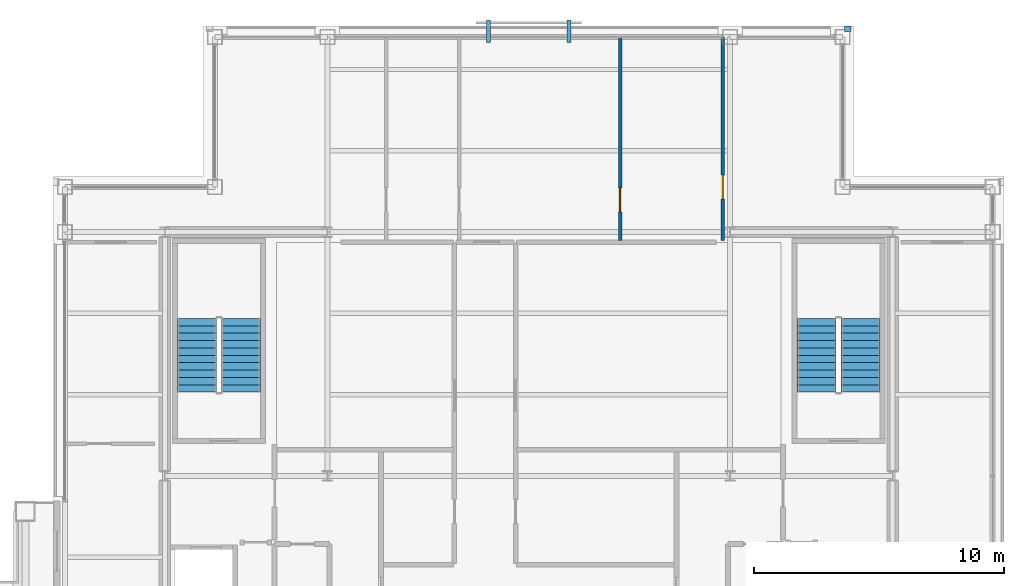
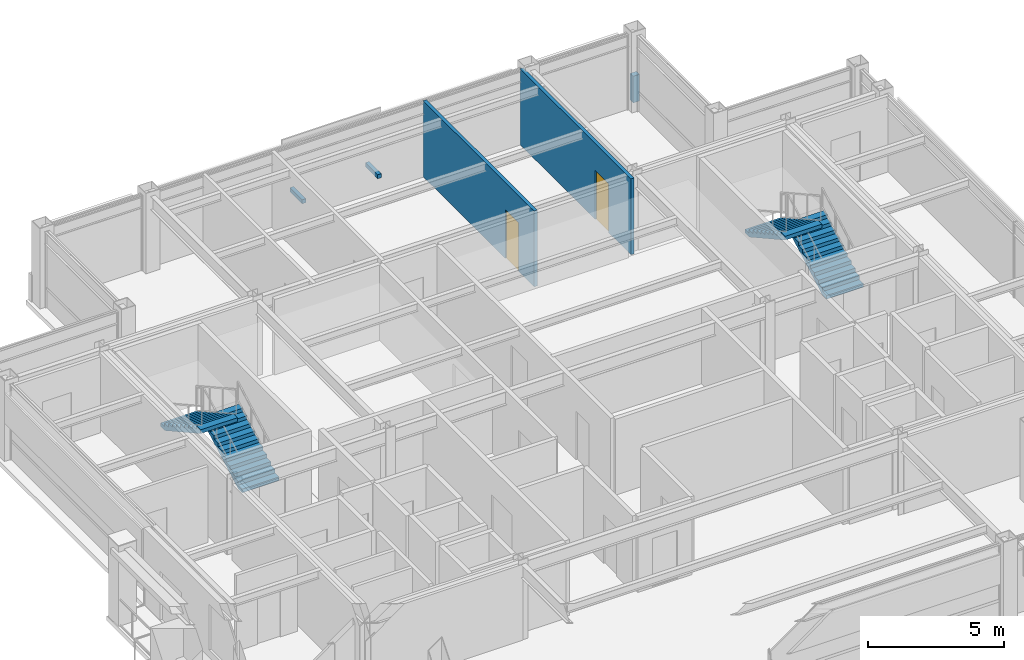
# One storey, part 26 of 28: 4 stair flights, 3 walls, 2 discrete accessories, 2 doors, 2 openings, 2 elements without a shape of their own.
"""IFC4 building model written with IfcOpenShell, lengths in metres."""

from ifc_helpers import new_model, si_unit, direction, frame, frame_2d, origin, origin_2d, place, context, subcontext, project, spatial, polyline, rectangle, outline, extrude, material, layer, layer_set, type_object, element, fill, aggregate, save


model = new_model("IFC4")

# Units and contexts
model_context = context("Model", 3, precision=1e-05, world=origin(), true_north=direction((0.0, 1.0)))
body_context = subcontext(model_context, "Body", "Model", "MODEL_VIEW")
ifc_project = project(units=[si_unit("LENGTHUNIT", "METRE"), si_unit("AREAUNIT", "SQUARE_METRE"), si_unit("VOLUMEUNIT", "CUBIC_METRE"), si_unit("PLANEANGLEUNIT", "RADIAN"), si_unit("MASSUNIT", "GRAM", prefix="KILO")], contexts=[model_context])

# Site, building, storey
site_placement = place(None, origin())
site = spatial("IfcSite", under=ifc_project, at=site_placement, CompositionType="ELEMENT")
building_placement = place(site_placement, origin())
building = spatial("IfcBuilding", under=site, at=building_placement, Name="Brelmoor Portico Tower", CompositionType="ELEMENT")
storey_placement = place(building_placement, frame((0.0, 0.0, 265.199951171875)))
storey = spatial("IfcBuildingStorey", under=building, at=storey_placement, Name="L70", CompositionType="ELEMENT", Elevation=265.199951171875)

# Wall
ifc_material_1 = material(Name="Concrete C40 Parapet Upstand", Category="concrete")
ifc_layer_1 = layer(ifc_material_1, 0.219970703125)
ifc_layer_set_1 = layer_set([ifc_layer_1], Name="Concrete C40 Parapet Upstand")
wall_type_1 = type_object("IfcWallType", Name="WL-PARAPET-220", PredefinedType="PARAPET", material=ifc_layer_set_1)
wall_1_placement = place(storey_placement, frame((12.6201171875, 17.889892578125, 0.0), z_axis=(0.0, 0.0, 1.0), x_axis=(1.0, 0.0, 0.0)))
element("IfcWall", 1, at=wall_1_placement, inside=storey, type_object=wall_type_1, Name="L70 Chamfer Vertex Parapet Pier NE1", PredefinedType="PARAPET", context=body_context, shape_type="SweptSolid", body=[
    extrude(rectangle(XDim=0.269775390625, YDim=0.219970703125, at=frame_2d((0.134765625, 0.0))), origin(), (0.0, 0.0, 1.0), 1.199951171875),
])

# Wall, opening, door
ifc_material_2 = material(Name="Insulated Stud Suite Partition", Category="gypsum")
ifc_layer_2 = layer(ifc_material_2, 0.139892578125)
ifc_layer_set_2 = layer_set([ifc_layer_2], Name="Insulated Stud Suite Partition")
wall_type_2 = type_object("IfcWallType", Name="WL-PART-140", PredefinedType="PARTITIONING", material=ifc_layer_set_2)
wall_2_placement = place(storey_placement, frame((3.651123046875, 9.409912109375, 0.0), z_axis=(0.0, 0.0, 1.0), x_axis=(0.0, 1.0, 0.0)))
wall_2 = element("IfcWall", 2, at=wall_2_placement, inside=storey, type_object=wall_type_2, Name="L70 North Suite Partition 3", PredefinedType="PARTITIONING", context=body_context, shape_type="SweptSolid", body=[
    extrude(rectangle(XDim=8.150146484375, YDim=0.139892578125, at=frame_2d((4.0751953125, 0.0))), origin(), (0.0, 0.0, 1.0), 3.400146484375),
])
opening_1_placement = place(wall_2_placement, frame((1.14990234375, 0.0, 0.0)))
opening_1 = element("IfcOpeningElement", 3, at=opening_1_placement, cuts=wall_2, Name="Opening D-IN2", PredefinedType="OPENING", context=body_context, shape_type="SweptSolid", body=[
    extrude(rectangle(XDim=0.9599609375, YDim=2.179931640625, at=frame_2d((0.47998046875, 1.08984375))), frame((0.0, 0.079833984375, 0.0), z_axis=(0.0, -1.0, 0.0), x_axis=(1.0, 0.0, 0.0)), (0.0, 0.0, 1.0), 0.159912109375),
])
ifc_material_3 = material(Name="Lacquered Timber Suite Door", Category="wood")
door_type = type_object("IfcDoorType", Name="DR-INT-950", OperationType="NOTDEFINED", PredefinedType="DOOR", material=ifc_material_3)
door_1_placement = place(opening_1_placement, origin())
door_1 = element("IfcDoor", 4, at=door_1_placement, inside=storey, type_object=door_type, Name="D-2883 L70 North Suite Connecting Door 3", OperationType="SINGLE_SWING_LEFT", OverallHeight=2.179931640625, OverallWidth=0.9599609375, PredefinedType="DOOR", context=body_context, shape_type="SweptSolid", body=[
    extrude(rectangle(XDim=0.9599609375, YDim=2.179931640625, at=frame_2d((0.47998046875, 1.08984375))), frame((0.0, 0.02490234375, 0.0), z_axis=(0.0, -1.0, 0.0), x_axis=(1.0, 0.0, 0.0)), (0.0, 0.0, 1.0), 0.050048828125),
])
fill(opening_1, door_1)

wall_3_placement = place(storey_placement, frame((7.7587890625, 9.409912109375, 0.0), z_axis=(0.0, 0.0, 1.0), x_axis=(0.0, 1.0, 0.0)))
wall_3 = element("IfcWall", 5, at=wall_3_placement, inside=storey, type_object=wall_type_2, Name="L70 North Suite Partition 4", PredefinedType="PARTITIONING", context=body_context, shape_type="SweptSolid", body=[
    extrude(rectangle(XDim=8.150146484375, YDim=0.139892578125, at=frame_2d((4.0751953125, 0.0))), origin(), (0.0, 0.0, 1.0), 3.400146484375),
])
opening_2_placement = place(wall_3_placement, frame((1.659912109375, 0.0, 0.0)))
opening_2 = element("IfcOpeningElement", 6, at=opening_2_placement, cuts=wall_3, Name="Opening D-IN2", PredefinedType="OPENING", context=body_context, shape_type="SweptSolid", body=[
    extrude(rectangle(XDim=0.9599609375, YDim=2.179931640625, at=frame_2d((0.47998046875, 1.08984375))), frame((0.0, 0.079833984375, 0.0), z_axis=(0.0, -1.0, 0.0), x_axis=(1.0, 0.0, 0.0)), (0.0, 0.0, 1.0), 0.159912109375),
])
door_2_placement = place(opening_2_placement, origin())
door_2 = element("IfcDoor", 7, at=door_2_placement, inside=storey, type_object=door_type, Name="D-2884 L70 North Suite Connecting Door 4", OperationType="SINGLE_SWING_RIGHT", OverallHeight=2.179931640625, OverallWidth=0.9599609375, PredefinedType="DOOR", context=body_context, shape_type="SweptSolid", body=[
    extrude(rectangle(XDim=0.9599609375, YDim=2.179931640625, at=frame_2d((0.47998046875, 1.08984375))), frame((0.0, 0.02490234375, 0.0), z_axis=(0.0, -1.0, 0.0), x_axis=(1.0, 0.0, 0.0)), (0.0, 0.0, 1.0), 0.050048828125),
])
fill(opening_2, door_2)

# Stair, stair flights
ifc_material_4 = material(Name="Concrete C40", Category="concrete")
stair_type_1 = type_object("IfcStairType", Name="ST-CORE-W", PredefinedType="HALF_TURN_STAIR", material=ifc_material_4)
stair_1_placement = place(storey_placement, origin())
stair_1 = element("IfcStair", 8, at=stair_1_placement, inside=storey, type_object=stair_type_1, Name="L70 Protected Core Exit Stair ST-W", PredefinedType="HALF_TURN_STAIR")
stair_flight_type = type_object("IfcStairFlightType", Name="SF-CORE-1850", PredefinedType="STRAIGHT", material=ifc_material_4)
stair_flight_1_placement = place(storey_placement, frame((-11.510009765625, 3.35009765625, 0.0), z_axis=(0.0, 0.0, 1.0), x_axis=(0.0, 1.0, 0.0)))
stair_flight_1 = element("IfcStairFlight", 9, at=stair_flight_1_placement, type_object=stair_flight_type, Name="ST-W flight 1", NumberOfRisers=11, NumberOfTreads=10, PredefinedType="STRAIGHT", RiserHeight=0.163636364, TreadLength=0.295, context=body_context, shape_type="SweptSolid", body=[
    extrude(outline(polyline([(0.0, 0.0), (0.0, 0.16357421875), (0.294921875, 0.16357421875), (0.294921875, 0.327392578125), (0.590087890625, 0.327392578125), (0.590087890625, 0.490966796875), (0.885009765625, 0.490966796875), (0.885009765625, 0.654541015625), (1.179931640625, 0.654541015625), (1.179931640625, 0.818115234375), (1.47509765625, 0.818115234375), (1.47509765625, 0.98193359375), (1.77001953125, 0.98193359375), (1.77001953125, 1.1455078125), (2.06494140625, 1.1455078125), (2.06494140625, 1.30908203125), (2.360107421875, 1.30908203125), (2.360107421875, 1.47265625), (2.655029296875, 1.47265625), (2.655029296875, 1.636474609375), (2.949951171875, 1.636474609375), (2.949951171875, 1.800048828125), (2.949951171875, 1.46484375), (0.30908203125, 0.0), (0.0, 0.0)])), frame((0.0, 0.780029296875, 0.0), z_axis=(0.0, -1.0, 0.0), x_axis=(1.0, 0.0, 0.0)), (0.0, 0.0, 1.0), 1.56005859375),
])
stair_flight_2_placement = place(storey_placement, frame((-13.27001953125, 6.300048828125, 1.800048828125), z_axis=(0.0, 0.0, 1.0), x_axis=(0.0, -1.0, 0.0)))
stair_flight_2 = element("IfcStairFlight", 10, at=stair_flight_2_placement, type_object=stair_flight_type, Name="ST-W flight 2", NumberOfRisers=11, NumberOfTreads=10, PredefinedType="STRAIGHT", RiserHeight=0.163636364, TreadLength=0.295, context=body_context, shape_type="SweptSolid", body=[
    extrude(outline(polyline([(0.0, 0.0), (0.0, 0.16357421875), (0.294921875, 0.16357421875), (0.294921875, 0.327392578125), (0.590087890625, 0.327392578125), (0.590087890625, 0.490966796875), (0.885009765625, 0.490966796875), (0.885009765625, 0.654541015625), (1.179931640625, 0.654541015625), (1.179931640625, 0.818115234375), (1.47509765625, 0.818115234375), (1.47509765625, 0.98193359375), (1.77001953125, 0.98193359375), (1.77001953125, 1.1455078125), (2.06494140625, 1.1455078125), (2.06494140625, 1.30908203125), (2.360107421875, 1.30908203125), (2.360107421875, 1.47265625), (2.655029296875, 1.47265625), (2.655029296875, 1.636474609375), (2.949951171875, 1.636474609375), (2.949951171875, 1.800048828125), (2.949951171875, 1.46484375), (0.30908203125, 0.0), (0.0, 0.0)])), frame((0.0, 0.780029296875, 0.0), z_axis=(0.0, -1.0, 0.0), x_axis=(1.0, 0.0, 0.0)), (0.0, 0.0, 1.0), 1.56005859375),
])
aggregate(stair_1, [stair_flight_1, stair_flight_2])

stair_type_2 = type_object("IfcStairType", Name="ST-CORE-E", PredefinedType="HALF_TURN_STAIR", material=ifc_material_4)
stair_2_placement = place(storey_placement, origin())
stair_2 = element("IfcStair", 11, at=stair_2_placement, inside=storey, type_object=stair_type_2, Name="L70 Protected Core Exit Stair ST-E", PredefinedType="HALF_TURN_STAIR")
stair_flight_3_placement = place(storey_placement, frame((13.27001953125, 3.35009765625, 0.0), z_axis=(0.0, 0.0, 1.0), x_axis=(0.0, 1.0, 0.0)))
stair_flight_3 = element("IfcStairFlight", 12, at=stair_flight_3_placement, type_object=stair_flight_type, Name="ST-E flight 1", NumberOfRisers=11, NumberOfTreads=10, PredefinedType="STRAIGHT", RiserHeight=0.163636364, TreadLength=0.295, context=body_context, shape_type="SweptSolid", body=[
    extrude(outline(polyline([(0.0, 0.0), (0.0, 0.16357421875), (0.294921875, 0.16357421875), (0.294921875, 0.327392578125), (0.590087890625, 0.327392578125), (0.590087890625, 0.490966796875), (0.885009765625, 0.490966796875), (0.885009765625, 0.654541015625), (1.179931640625, 0.654541015625), (1.179931640625, 0.818115234375), (1.47509765625, 0.818115234375), (1.47509765625, 0.98193359375), (1.77001953125, 0.98193359375), (1.77001953125, 1.1455078125), (2.06494140625, 1.1455078125), (2.06494140625, 1.30908203125), (2.360107421875, 1.30908203125), (2.360107421875, 1.47265625), (2.655029296875, 1.47265625), (2.655029296875, 1.636474609375), (2.949951171875, 1.636474609375), (2.949951171875, 1.800048828125), (2.949951171875, 1.46484375), (0.30908203125, 0.0), (0.0, 0.0)])), frame((0.0, 0.780029296875, 0.0), z_axis=(0.0, -1.0, 0.0), x_axis=(1.0, 0.0, 0.0)), (0.0, 0.0, 1.0), 1.56005859375),
])
stair_flight_4_placement = place(storey_placement, frame((11.510009765625, 6.300048828125, 1.800048828125), z_axis=(0.0, 0.0, 1.0), x_axis=(0.0, -1.0, 0.0)))
stair_flight_4 = element("IfcStairFlight", 13, at=stair_flight_4_placement, type_object=stair_flight_type, Name="ST-E flight 2", NumberOfRisers=11, NumberOfTreads=10, PredefinedType="STRAIGHT", RiserHeight=0.163636364, TreadLength=0.295, context=body_context, shape_type="SweptSolid", body=[
    extrude(outline(polyline([(0.0, 0.0), (0.0, 0.16357421875), (0.294921875, 0.16357421875), (0.294921875, 0.327392578125), (0.590087890625, 0.327392578125), (0.590087890625, 0.490966796875), (0.885009765625, 0.490966796875), (0.885009765625, 0.654541015625), (1.179931640625, 0.654541015625), (1.179931640625, 0.818115234375), (1.47509765625, 0.818115234375), (1.47509765625, 0.98193359375), (1.77001953125, 0.98193359375), (1.77001953125, 1.1455078125), (2.06494140625, 1.1455078125), (2.06494140625, 1.30908203125), (2.360107421875, 1.30908203125), (2.360107421875, 1.47265625), (2.655029296875, 1.47265625), (2.655029296875, 1.636474609375), (2.949951171875, 1.636474609375), (2.949951171875, 1.800048828125), (2.949951171875, 1.46484375), (0.30908203125, 0.0), (0.0, 0.0)])), frame((0.0, 0.780029296875, 0.0), z_axis=(0.0, -1.0, 0.0), x_axis=(1.0, 0.0, 0.0)), (0.0, 0.0, 1.0), 1.56005859375),
])
aggregate(stair_2, [stair_flight_3, stair_flight_4])

# Discrete accessories
ifc_material_5 = material(Name="Galvanised Steel Q355B", Category="steel")
discrete_accessory_type = type_object("IfcDiscreteAccessoryType", Name="DA-SCREEN-BRACKET", PredefinedType="BRACKET", material=ifc_material_5)
for number, where, z_axis, x_axis, name in (
    (14, (-1.60009765625, 17.780029296875, 0.76025390625), (0.0, 0.0, 1.0), (1.0, 0.0, 0.0), "L70 Solar Screen Bracket N1A"),
    (15, (1.60009765625, 17.780029296875, 0.76025390625), (0.0, 0.0, 1.0), (1.0, 0.0, 0.0), "L70 Solar Screen Bracket N1B"),
):
    element("IfcDiscreteAccessory", number, at=place(storey_placement, frame(where, z_axis=z_axis, x_axis=x_axis)), inside=storey, type_object=discrete_accessory_type, Name=name, PredefinedType="BRACKET", context=body_context, shape_type="SweptSolid", body=[
        extrude(rectangle(XDim=0.159912109375, YDim=0.89990234375, at=origin_2d()), origin(), (0.0, 0.0, 1.0), 0.179931640625),
    ])

save(model, "model.ifc")
